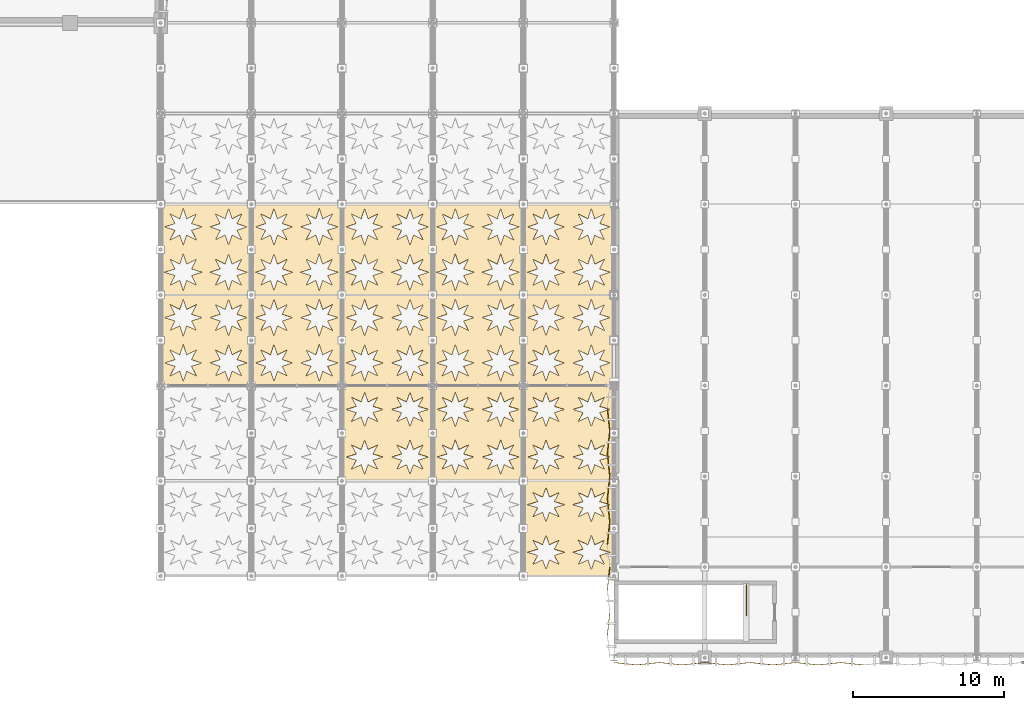
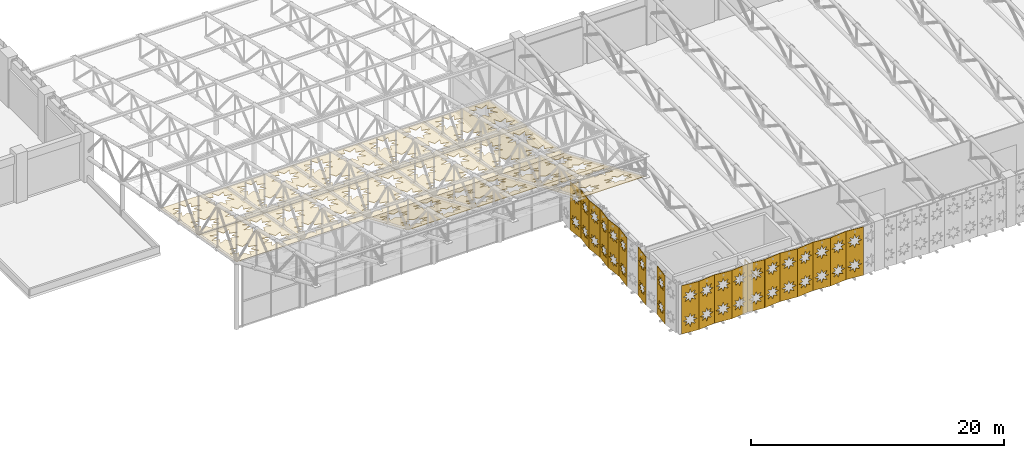
# One storey, part 116 of 123: 33 coverings, 1 railing.
"""IFC4 building model written with IfcOpenShell, lengths in metres."""

from ifc_helpers import new_model, si_unit, direction, frame, origin, origin_2d, place, context, subcontext, project, spatial, polyline, circle, outline, extrude, material, layer, layer_set, type_object, element, save


model = new_model("IFC4")

# Units and contexts
model_context = context("Model", 3, precision=1e-05, world=origin(), true_north=direction((0.0, 1.0)))
body_context = subcontext(model_context, "Body", "Model", "MODEL_VIEW")
ifc_project = project(units=[si_unit("LENGTHUNIT", "METRE"), si_unit("AREAUNIT", "SQUARE_METRE"), si_unit("VOLUMEUNIT", "CUBIC_METRE"), si_unit("PLANEANGLEUNIT", "RADIAN"), si_unit("MASSUNIT", "GRAM", prefix="KILO"), si_unit("THERMODYNAMICTEMPERATUREUNIT", "KELVIN"), si_unit("POWERUNIT", "WATT")], contexts=[model_context])

# Site, building, storey
site_placement = place(None, origin())
site = spatial("IfcSite", under=ifc_project, at=site_placement, CompositionType="ELEMENT")
building_placement = place(site_placement, origin())
building = spatial("IfcBuilding", under=site, at=building_placement, Name="Phaisarnlok Congress Hotel", CompositionType="ELEMENT")
storey_placement = place(building_placement, frame((0.0, 0.0, 15.0)))
storey = spatial("IfcBuildingStorey", under=building, at=storey_placement, Name="L03", CompositionType="ELEMENT", Elevation=15.0)

# Coverings
ifc_material_1 = material(Name="Perforated Acoustic Aluminium Soffit Panel", Category="aluminium")
ifc_layer_1 = layer(ifc_material_1, 0.044921875, Name="Perforated Acoustic Aluminium Soffit Panel")
ifc_layer_set_1 = layer_set([ifc_layer_1], Name="Perforated Acoustic Aluminium Soffit Panel")
covering_type_1 = type_object("IfcCoveringType", Name="COV-SOFFIT-STAR", PredefinedType="CLADDING", material=ifc_layer_set_1)
covering_1_placement = place(storey_placement, frame((66.0, 30.0, 4.28662109375), z_axis=(0.0, -0.175030745743, -0.984562968044), x_axis=(1.0, 0.0, 0.0)))
element("IfcCovering", 1, at=covering_1_placement, inside=storey, type_object=covering_type_1, Name="South wing roof star-pierced acoustic soffit panel CL-01", PredefinedType="CLADDING", context=body_context, shape_type="SweptSolid", body=[
    extrude(outline(polyline([(0.0, 0.0), (6.0, 0.0), (6.0, 6.094074421585321), (0.0, 6.094074421585321), (0.0, 0.0)]), holes=[polyline([(2.0455, 1.2976), (2.3697, 0.6538), (1.7259, 0.9781), (1.5, 0.2935), (1.2741, 0.9781), (0.6303, 0.6538), (0.9545, 1.2976), (0.27, 1.5235), (0.9545, 1.7495), (0.6303, 2.3933), (1.2741, 2.069), (1.5, 2.7535), (1.7259, 2.069), (2.3697, 2.3933), (2.0455, 1.7495), (2.73, 1.5235), (2.0455, 1.2976)]), polyline([(2.0455, 4.3446), (2.3697, 3.7008), (1.7259, 4.0251), (1.5, 3.3405), (1.2741, 4.0251), (0.6303, 3.7008), (0.9545, 4.3446), (0.27, 4.5705), (0.9545, 4.7965), (0.6303, 5.4403), (1.2741, 5.116), (1.5, 5.8005), (1.7259, 5.116), (2.3697, 5.4403), (2.0455, 4.7965), (2.73, 4.5705), (2.0455, 4.3446)]), polyline([(5.0455, 1.2976), (5.3697, 0.6538), (4.7259, 0.9781), (4.5, 0.2935), (4.2741, 0.9781), (3.6303, 0.6538), (3.9545, 1.2976), (3.27, 1.5235), (3.9545, 1.7495), (3.6303, 2.3933), (4.2741, 2.069), (4.5, 2.7535), (4.7259, 2.069), (5.3697, 2.3933), (5.0455, 1.7495), (5.73, 1.5235), (5.0455, 1.2976)]), polyline([(5.0455, 4.3446), (5.3697, 3.7008), (4.7259, 4.0251), (4.5, 3.3405), (4.2741, 4.0251), (3.6303, 3.7008), (3.9545, 4.3446), (3.27, 4.5705), (3.9545, 4.7965), (3.6303, 5.4403), (4.2741, 5.116), (4.5, 5.8005), (4.7259, 5.116), (5.3697, 5.4403), (5.0455, 4.7965), (5.73, 4.5705), (5.0455, 4.3446)])]), origin(), (0.0, 0.0, 1.0), 0.044921875),
])
covering_2_placement = place(storey_placement, frame((66.0, 24.0, 5.353271484375), z_axis=(0.0, -0.175030745743, -0.984562968044), x_axis=(1.0, 0.0, 0.0)))
element("IfcCovering", 2, at=covering_2_placement, inside=storey, type_object=covering_type_1, Name="South wing roof star-pierced acoustic soffit panel CL-01", PredefinedType="CLADDING", context=body_context, shape_type="SweptSolid", body=[
    extrude(outline(polyline([(0.0, 0.0), (6.0, 0.0), (6.0, 6.094074421585321), (0.0, 6.094074421585321), (0.0, 0.0)]), holes=[polyline([(2.0455, 1.2976), (2.3697, 0.6538), (1.7259, 0.9781), (1.5, 0.2935), (1.2741, 0.9781), (0.6303, 0.6538), (0.9545, 1.2976), (0.27, 1.5235), (0.9545, 1.7495), (0.6303, 2.3933), (1.2741, 2.069), (1.5, 2.7535), (1.7259, 2.069), (2.3697, 2.3933), (2.0455, 1.7495), (2.73, 1.5235), (2.0455, 1.2976)]), polyline([(2.0455, 4.3446), (2.3697, 3.7008), (1.7259, 4.0251), (1.5, 3.3406), (1.2741, 4.0251), (0.6303, 3.7008), (0.9545, 4.3446), (0.27, 4.5706), (0.9545, 4.7965), (0.6303, 5.4403), (1.2741, 5.116), (1.5, 5.8006), (1.7259, 5.116), (2.3697, 5.4403), (2.0455, 4.7965), (2.73, 4.5706), (2.0455, 4.3446)]), polyline([(5.0455, 1.2976), (5.3697, 0.6538), (4.7259, 0.9781), (4.5, 0.2935), (4.2741, 0.9781), (3.6303, 0.6538), (3.9545, 1.2976), (3.27, 1.5235), (3.9545, 1.7495), (3.6303, 2.3933), (4.2741, 2.069), (4.5, 2.7535), (4.7259, 2.069), (5.3697, 2.3933), (5.0455, 1.7495), (5.73, 1.5235), (5.0455, 1.2976)]), polyline([(5.0455, 4.3446), (5.3697, 3.7008), (4.7259, 4.0251), (4.5, 3.3406), (4.2741, 4.0251), (3.6303, 3.7008), (3.9545, 4.3446), (3.27, 4.5706), (3.9545, 4.7965), (3.6303, 5.4403), (4.2741, 5.116), (4.5, 5.8006), (4.7259, 5.116), (5.3697, 5.4403), (5.0455, 4.7965), (5.73, 4.5706), (5.0455, 4.3446)])]), origin(), (0.0, 0.0, 1.0), 0.044921875),
])
covering_3_placement = place(storey_placement, frame((72.0, 30.0, 4.28662109375), z_axis=(0.0, -0.175030745743, -0.984562968044), x_axis=(1.0, 0.0, 0.0)))
element("IfcCovering", 3, at=covering_3_placement, inside=storey, type_object=covering_type_1, Name="South wing roof star-pierced acoustic soffit panel CL-01", PredefinedType="CLADDING", context=body_context, shape_type="SweptSolid", body=[
    extrude(outline(polyline([(0.0, 0.0), (6.0, 0.0), (6.0, 6.094074421585321), (0.0, 6.094074421585321), (0.0, 0.0)]), holes=[polyline([(2.0455, 1.2976), (2.3697, 0.6538), (1.7259, 0.9781), (1.5, 0.2935), (1.2741, 0.9781), (0.6303, 0.6538), (0.9545, 1.2976), (0.27, 1.5235), (0.9545, 1.7495), (0.6303, 2.3933), (1.2741, 2.069), (1.5, 2.7535), (1.7259, 2.069), (2.3697, 2.3933), (2.0455, 1.7495), (2.73, 1.5235), (2.0455, 1.2976)]), polyline([(2.0455, 4.3446), (2.3697, 3.7008), (1.7259, 4.0251), (1.5, 3.3405), (1.2741, 4.0251), (0.6303, 3.7008), (0.9545, 4.3446), (0.27, 4.5705), (0.9545, 4.7965), (0.6303, 5.4403), (1.2741, 5.116), (1.5, 5.8005), (1.7259, 5.116), (2.3697, 5.4403), (2.0455, 4.7965), (2.73, 4.5705), (2.0455, 4.3446)]), polyline([(5.0455, 1.2976), (5.3697, 0.6538), (4.7259, 0.9781), (4.5, 0.2935), (4.2741, 0.9781), (3.6303, 0.6538), (3.9545, 1.2976), (3.27, 1.5235), (3.9545, 1.7495), (3.6303, 2.3933), (4.2741, 2.069), (4.5, 2.7535), (4.7259, 2.069), (5.3697, 2.3933), (5.0455, 1.7495), (5.73, 1.5235), (5.0455, 1.2976)]), polyline([(5.0455, 4.3446), (5.3697, 3.7008), (4.7259, 4.0251), (4.5, 3.3405), (4.2741, 4.0251), (3.6303, 3.7008), (3.9545, 4.3446), (3.27, 4.5705), (3.9545, 4.7965), (3.6303, 5.4403), (4.2741, 5.116), (4.5, 5.8005), (4.7259, 5.116), (5.3697, 5.4403), (5.0455, 4.7965), (5.73, 4.5705), (5.0455, 4.3446)])]), origin(), (0.0, 0.0, 1.0), 0.044921875),
])
covering_4_placement = place(storey_placement, frame((72.0, 24.0, 5.353271484375), z_axis=(0.0, -0.175030745743, -0.984562968044), x_axis=(1.0, 0.0, 0.0)))
element("IfcCovering", 4, at=covering_4_placement, inside=storey, type_object=covering_type_1, Name="South wing roof star-pierced acoustic soffit panel CL-01", PredefinedType="CLADDING", context=body_context, shape_type="SweptSolid", body=[
    extrude(outline(polyline([(0.0, 0.0), (6.0, 0.0), (6.0, 6.094074421585321), (0.0, 6.094074421585321), (0.0, 0.0)]), holes=[polyline([(2.0455, 1.2976), (2.3697, 0.6538), (1.7259, 0.9781), (1.5, 0.2935), (1.2741, 0.9781), (0.6303, 0.6538), (0.9545, 1.2976), (0.27, 1.5235), (0.9545, 1.7495), (0.6303, 2.3933), (1.2741, 2.069), (1.5, 2.7535), (1.7259, 2.069), (2.3697, 2.3933), (2.0455, 1.7495), (2.73, 1.5235), (2.0455, 1.2976)]), polyline([(2.0455, 4.3446), (2.3697, 3.7008), (1.7259, 4.0251), (1.5, 3.3406), (1.2741, 4.0251), (0.6303, 3.7008), (0.9545, 4.3446), (0.27, 4.5706), (0.9545, 4.7965), (0.6303, 5.4403), (1.2741, 5.116), (1.5, 5.8006), (1.7259, 5.116), (2.3697, 5.4403), (2.0455, 4.7965), (2.73, 4.5706), (2.0455, 4.3446)]), polyline([(5.0455, 1.2976), (5.3697, 0.6538), (4.7259, 0.9781), (4.5, 0.2935), (4.2741, 0.9781), (3.6303, 0.6538), (3.9545, 1.2976), (3.27, 1.5235), (3.9545, 1.7495), (3.6303, 2.3933), (4.2741, 2.069), (4.5, 2.7535), (4.7259, 2.069), (5.3697, 2.3933), (5.0455, 1.7495), (5.73, 1.5235), (5.0455, 1.2976)]), polyline([(5.0455, 4.3446), (5.3697, 3.7008), (4.7259, 4.0251), (4.5, 3.3406), (4.2741, 4.0251), (3.6303, 3.7008), (3.9545, 4.3446), (3.27, 4.5706), (3.9545, 4.7965), (3.6303, 5.4403), (4.2741, 5.116), (4.5, 5.8006), (4.7259, 5.116), (5.3697, 5.4403), (5.0455, 4.7965), (5.73, 4.5706), (5.0455, 4.3446)])]), origin(), (0.0, 0.0, 1.0), 0.044921875),
])
covering_5_placement = place(storey_placement, frame((78.0, 30.0, 4.28662109375), z_axis=(0.0, -0.175030745743, -0.984562968044), x_axis=(1.0, 0.0, 0.0)))
element("IfcCovering", 5, at=covering_5_placement, inside=storey, type_object=covering_type_1, Name="South wing roof star-pierced acoustic soffit panel CL-01", PredefinedType="CLADDING", context=body_context, shape_type="SweptSolid", body=[
    extrude(outline(polyline([(0.0, 0.0), (6.0, 0.0), (6.0, 6.094074421585321), (0.0, 6.094074421585321), (0.0, 0.0)]), holes=[polyline([(2.0455, 1.2976), (2.3697, 0.6538), (1.7259, 0.9781), (1.5, 0.2935), (1.2741, 0.9781), (0.6303, 0.6538), (0.9545, 1.2976), (0.27, 1.5235), (0.9545, 1.7495), (0.6303, 2.3933), (1.2741, 2.069), (1.5, 2.7535), (1.7259, 2.069), (2.3697, 2.3933), (2.0455, 1.7495), (2.73, 1.5235), (2.0455, 1.2976)]), polyline([(2.0455, 4.3446), (2.3697, 3.7008), (1.7259, 4.0251), (1.5, 3.3405), (1.2741, 4.0251), (0.6303, 3.7008), (0.9545, 4.3446), (0.27, 4.5705), (0.9545, 4.7965), (0.6303, 5.4403), (1.2741, 5.116), (1.5, 5.8005), (1.7259, 5.116), (2.3697, 5.4403), (2.0455, 4.7965), (2.73, 4.5705), (2.0455, 4.3446)]), polyline([(5.0455, 1.2976), (5.3697, 0.6538), (4.7259, 0.9781), (4.5, 0.2935), (4.2741, 0.9781), (3.6303, 0.6538), (3.9545, 1.2976), (3.27, 1.5235), (3.9545, 1.7495), (3.6303, 2.3933), (4.2741, 2.069), (4.5, 2.7535), (4.7259, 2.069), (5.3697, 2.3933), (5.0455, 1.7495), (5.73, 1.5235), (5.0455, 1.2976)]), polyline([(5.0455, 4.3446), (5.3697, 3.7008), (4.7259, 4.0251), (4.5, 3.3405), (4.2741, 4.0251), (3.6303, 3.7008), (3.9545, 4.3446), (3.27, 4.5705), (3.9545, 4.7965), (3.6303, 5.4403), (4.2741, 5.116), (4.5, 5.8005), (4.7259, 5.116), (5.3697, 5.4403), (5.0455, 4.7965), (5.73, 4.5705), (5.0455, 4.3446)])]), origin(), (0.0, 0.0, 1.0), 0.044921875),
])
covering_6_placement = place(storey_placement, frame((78.0, 24.0, 5.353271484375), z_axis=(0.0, -0.175030745743, -0.984562968044), x_axis=(1.0, 0.0, 0.0)))
element("IfcCovering", 6, at=covering_6_placement, inside=storey, type_object=covering_type_1, Name="South wing roof star-pierced acoustic soffit panel CL-01", PredefinedType="CLADDING", context=body_context, shape_type="SweptSolid", body=[
    extrude(outline(polyline([(0.0, 0.0), (6.0, 0.0), (6.0, 6.094074421585321), (0.0, 6.094074421585321), (0.0, 0.0)]), holes=[polyline([(2.0455, 1.2976), (2.3697, 0.6538), (1.7259, 0.9781), (1.5, 0.2935), (1.2741, 0.9781), (0.6303, 0.6538), (0.9545, 1.2976), (0.27, 1.5235), (0.9545, 1.7495), (0.6303, 2.3933), (1.2741, 2.069), (1.5, 2.7535), (1.7259, 2.069), (2.3697, 2.3933), (2.0455, 1.7495), (2.73, 1.5235), (2.0455, 1.2976)]), polyline([(2.0455, 4.3446), (2.3697, 3.7008), (1.7259, 4.0251), (1.5, 3.3406), (1.2741, 4.0251), (0.6303, 3.7008), (0.9545, 4.3446), (0.27, 4.5706), (0.9545, 4.7965), (0.6303, 5.4403), (1.2741, 5.116), (1.5, 5.8006), (1.7259, 5.116), (2.3697, 5.4403), (2.0455, 4.7965), (2.73, 4.5706), (2.0455, 4.3446)]), polyline([(5.0455, 1.2976), (5.3697, 0.6538), (4.7259, 0.9781), (4.5, 0.2935), (4.2741, 0.9781), (3.6303, 0.6538), (3.9545, 1.2976), (3.27, 1.5235), (3.9545, 1.7495), (3.6303, 2.3933), (4.2741, 2.069), (4.5, 2.7535), (4.7259, 2.069), (5.3697, 2.3933), (5.0455, 1.7495), (5.73, 1.5235), (5.0455, 1.2976)]), polyline([(5.0455, 4.3446), (5.3697, 3.7008), (4.7259, 4.0251), (4.5, 3.3406), (4.2741, 4.0251), (3.6303, 3.7008), (3.9545, 4.3446), (3.27, 4.5706), (3.9545, 4.7965), (3.6303, 5.4403), (4.2741, 5.116), (4.5, 5.8006), (4.7259, 5.116), (5.3697, 5.4403), (5.0455, 4.7965), (5.73, 4.5706), (5.0455, 4.3446)])]), origin(), (0.0, 0.0, 1.0), 0.044921875),
])
covering_7_placement = place(storey_placement, frame((78.0, 18.0, 6.419921875), z_axis=(0.0, -0.393940792404, -0.919135818081), x_axis=(1.0, 0.0, 0.0)))
element("IfcCovering", 7, at=covering_7_placement, inside=storey, type_object=covering_type_1, Name="South wing roof star-pierced acoustic soffit panel CL-01", PredefinedType="CLADDING", context=body_context, shape_type="SweptSolid", body=[
    extrude(outline(polyline([(0.0, 0.0), (6.0, 0.0), (6.0, 6.854317614643062), (0.0, 6.854317614643062), (0.0, 0.0)]), holes=[polyline([(2.0455, 1.4876), (2.3697, 0.8438), (1.7259, 1.1681), (1.5, 0.4835), (1.2741, 1.1681), (0.6303, 0.8438), (0.9545, 1.4876), (0.27, 1.7135), (0.9545, 1.9395), (0.6303, 2.5833), (1.2741, 2.259), (1.5, 2.9435), (1.7259, 2.259), (2.3697, 2.5833), (2.0455, 1.9395), (2.73, 1.7135), (2.0455, 1.4876)]), polyline([(2.0455, 4.9147), (2.3697, 4.2709), (1.7259, 4.5952), (1.5, 3.9106), (1.2741, 4.5952), (0.6303, 4.2709), (0.9545, 4.9147), (0.27, 5.1406), (0.9545, 5.3666), (0.6303, 6.0104), (1.2741, 5.6861), (1.5, 6.3706), (1.7259, 5.6861), (2.3697, 6.0104), (2.0455, 5.3666), (2.73, 5.1406), (2.0455, 4.9147)]), polyline([(5.0455, 1.4876), (5.3697, 0.8438), (4.7259, 1.1681), (4.5, 0.4835), (4.2741, 1.1681), (3.6303, 0.8438), (3.9545, 1.4876), (3.27, 1.7135), (3.9545, 1.9395), (3.6303, 2.5833), (4.2741, 2.259), (4.5, 2.9435), (4.7259, 2.259), (5.3697, 2.5833), (5.0455, 1.9395), (5.73, 1.7135), (5.0455, 1.4876)]), polyline([(5.0455, 4.9147), (5.3697, 4.2709), (4.7259, 4.5952), (4.5, 3.9106), (4.2741, 4.5952), (3.6303, 4.2709), (3.9545, 4.9147), (3.27, 5.1406), (3.9545, 5.3666), (3.6303, 6.0104), (4.2741, 5.6861), (4.5, 6.3706), (4.7259, 5.6861), (5.3697, 6.0104), (5.0455, 5.3666), (5.73, 5.1406), (5.0455, 4.9147)])]), origin(), (0.0, 0.0, 1.0), 0.044921875),
])
covering_8_placement = place(storey_placement, frame((84.0, 30.0, 4.28662109375), z_axis=(0.0, -0.175030745743, -0.984562968044), x_axis=(1.0, 0.0, 0.0)))
element("IfcCovering", 8, at=covering_8_placement, inside=storey, type_object=covering_type_1, Name="South wing roof star-pierced acoustic soffit panel CL-01", PredefinedType="CLADDING", context=body_context, shape_type="SweptSolid", body=[
    extrude(outline(polyline([(0.0, 0.0), (6.0, 0.0), (6.0, 6.094074421585321), (0.0, 6.094074421585321), (0.0, 0.0)]), holes=[polyline([(2.0455, 1.2976), (2.3697, 0.6538), (1.7259, 0.9781), (1.5, 0.2935), (1.2741, 0.9781), (0.6303, 0.6538), (0.9545, 1.2976), (0.27, 1.5235), (0.9545, 1.7495), (0.6303, 2.3933), (1.2741, 2.069), (1.5, 2.7535), (1.7259, 2.069), (2.3697, 2.3933), (2.0455, 1.7495), (2.73, 1.5235), (2.0455, 1.2976)]), polyline([(2.0455, 4.3446), (2.3697, 3.7008), (1.7259, 4.0251), (1.5, 3.3405), (1.2741, 4.0251), (0.6303, 3.7008), (0.9545, 4.3446), (0.27, 4.5705), (0.9545, 4.7965), (0.6303, 5.4403), (1.2741, 5.116), (1.5, 5.8005), (1.7259, 5.116), (2.3697, 5.4403), (2.0455, 4.7965), (2.73, 4.5705), (2.0455, 4.3446)]), polyline([(5.0455, 1.2976), (5.3697, 0.6538), (4.7259, 0.9781), (4.5, 0.2935), (4.2741, 0.9781), (3.6303, 0.6538), (3.9545, 1.2976), (3.27, 1.5235), (3.9545, 1.7495), (3.6303, 2.3933), (4.2741, 2.069), (4.5, 2.7535), (4.7259, 2.069), (5.3697, 2.3933), (5.0455, 1.7495), (5.73, 1.5235), (5.0455, 1.2976)]), polyline([(5.0455, 4.3446), (5.3697, 3.7008), (4.7259, 4.0251), (4.5, 3.3405), (4.2741, 4.0251), (3.6303, 3.7008), (3.9545, 4.3446), (3.27, 4.5705), (3.9545, 4.7965), (3.6303, 5.4403), (4.2741, 5.116), (4.5, 5.8005), (4.7259, 5.116), (5.3697, 5.4403), (5.0455, 4.7965), (5.73, 4.5705), (5.0455, 4.3446)])]), origin(), (0.0, 0.0, 1.0), 0.044921875),
])
covering_9_placement = place(storey_placement, frame((84.0, 24.0, 5.353271484375), z_axis=(0.0, -0.175030745743, -0.984562968044), x_axis=(1.0, 0.0, 0.0)))
element("IfcCovering", 9, at=covering_9_placement, inside=storey, type_object=covering_type_1, Name="South wing roof star-pierced acoustic soffit panel CL-01", PredefinedType="CLADDING", context=body_context, shape_type="SweptSolid", body=[
    extrude(outline(polyline([(0.0, 0.0), (6.0, 0.0), (6.0, 6.094074421585321), (0.0, 6.094074421585321), (0.0, 0.0)]), holes=[polyline([(2.0455, 1.2976), (2.3697, 0.6538), (1.7259, 0.9781), (1.5, 0.2935), (1.2741, 0.9781), (0.6303, 0.6538), (0.9545, 1.2976), (0.27, 1.5235), (0.9545, 1.7495), (0.6303, 2.3933), (1.2741, 2.069), (1.5, 2.7535), (1.7259, 2.069), (2.3697, 2.3933), (2.0455, 1.7495), (2.73, 1.5235), (2.0455, 1.2976)]), polyline([(2.0455, 4.3446), (2.3697, 3.7008), (1.7259, 4.0251), (1.5, 3.3406), (1.2741, 4.0251), (0.6303, 3.7008), (0.9545, 4.3446), (0.27, 4.5706), (0.9545, 4.7965), (0.6303, 5.4403), (1.2741, 5.116), (1.5, 5.8006), (1.7259, 5.116), (2.3697, 5.4403), (2.0455, 4.7965), (2.73, 4.5706), (2.0455, 4.3446)]), polyline([(5.0455, 1.2976), (5.3697, 0.6538), (4.7259, 0.9781), (4.5, 0.2935), (4.2741, 0.9781), (3.6303, 0.6538), (3.9545, 1.2976), (3.27, 1.5235), (3.9545, 1.7495), (3.6303, 2.3933), (4.2741, 2.069), (4.5, 2.7535), (4.7259, 2.069), (5.3697, 2.3933), (5.0455, 1.7495), (5.73, 1.5235), (5.0455, 1.2976)]), polyline([(5.0455, 4.3446), (5.3697, 3.7008), (4.7259, 4.0251), (4.5, 3.3406), (4.2741, 4.0251), (3.6303, 3.7008), (3.9545, 4.3446), (3.27, 4.5706), (3.9545, 4.7965), (3.6303, 5.4403), (4.2741, 5.116), (4.5, 5.8006), (4.7259, 5.116), (5.3697, 5.4403), (5.0455, 4.7965), (5.73, 4.5706), (5.0455, 4.3446)])]), origin(), (0.0, 0.0, 1.0), 0.044921875),
])
covering_10_placement = place(storey_placement, frame((84.0, 18.0, 6.419921875), z_axis=(0.0, -0.393940792404, -0.919135818081), x_axis=(1.0, 0.0, 0.0)))
element("IfcCovering", 10, at=covering_10_placement, inside=storey, type_object=covering_type_1, Name="South wing roof star-pierced acoustic soffit panel CL-01", PredefinedType="CLADDING", context=body_context, shape_type="SweptSolid", body=[
    extrude(outline(polyline([(0.0, 0.0), (6.0, 0.0), (6.0, 6.854317614643062), (0.0, 6.854317614643062), (0.0, 0.0)]), holes=[polyline([(2.0455, 1.4876), (2.3697, 0.8438), (1.7259, 1.1681), (1.5, 0.4835), (1.2741, 1.1681), (0.6303, 0.8438), (0.9545, 1.4876), (0.27, 1.7135), (0.9545, 1.9395), (0.6303, 2.5833), (1.2741, 2.259), (1.5, 2.9435), (1.7259, 2.259), (2.3697, 2.5833), (2.0455, 1.9395), (2.73, 1.7135), (2.0455, 1.4876)]), polyline([(2.0455, 4.9147), (2.3697, 4.2709), (1.7259, 4.5952), (1.5, 3.9106), (1.2741, 4.5952), (0.6303, 4.2709), (0.9545, 4.9147), (0.27, 5.1406), (0.9545, 5.3666), (0.6303, 6.0104), (1.2741, 5.6861), (1.5, 6.3706), (1.7259, 5.6861), (2.3697, 6.0104), (2.0455, 5.3666), (2.73, 5.1406), (2.0455, 4.9147)]), polyline([(5.0455, 1.4876), (5.3697, 0.8438), (4.7259, 1.1681), (4.5, 0.4835), (4.2741, 1.1681), (3.6303, 0.8438), (3.9545, 1.4876), (3.27, 1.7135), (3.9545, 1.9395), (3.6303, 2.5833), (4.2741, 2.259), (4.5, 2.9435), (4.7259, 2.259), (5.3697, 2.5833), (5.0455, 1.9395), (5.73, 1.7135), (5.0455, 1.4876)]), polyline([(5.0455, 4.9147), (5.3697, 4.2709), (4.7259, 4.5952), (4.5, 3.9106), (4.2741, 4.5952), (3.6303, 4.2709), (3.9545, 4.9147), (3.27, 5.1406), (3.9545, 5.3666), (3.6303, 6.0104), (4.2741, 5.6861), (4.5, 6.3706), (4.7259, 5.6861), (5.3697, 6.0104), (5.0455, 5.3666), (5.73, 5.1406), (5.0455, 4.9147)])]), origin(), (0.0, 0.0, 1.0), 0.044921875),
])
covering_11_placement = place(storey_placement, frame((90.0, 30.0, 4.28662109375), z_axis=(0.0, -0.175030745743, -0.984562968044), x_axis=(1.0, 0.0, 0.0)))
element("IfcCovering", 11, at=covering_11_placement, inside=storey, type_object=covering_type_1, Name="South wing roof star-pierced acoustic soffit panel CL-01", PredefinedType="CLADDING", context=body_context, shape_type="SweptSolid", body=[
    extrude(outline(polyline([(0.0, 0.0), (6.0, 0.0), (6.0, 6.094074421585321), (0.0, 6.094074421585321), (0.0, 0.0)]), holes=[polyline([(2.0455, 1.2976), (2.3697, 0.6538), (1.7259, 0.9781), (1.5, 0.2935), (1.2741, 0.9781), (0.6303, 0.6538), (0.9545, 1.2976), (0.27, 1.5235), (0.9545, 1.7495), (0.6303, 2.3933), (1.2741, 2.069), (1.5, 2.7535), (1.7259, 2.069), (2.3697, 2.3933), (2.0455, 1.7495), (2.73, 1.5235), (2.0455, 1.2976)]), polyline([(2.0455, 4.3446), (2.3697, 3.7008), (1.7259, 4.0251), (1.5, 3.3405), (1.2741, 4.0251), (0.6303, 3.7008), (0.9545, 4.3446), (0.27, 4.5705), (0.9545, 4.7965), (0.6303, 5.4403), (1.2741, 5.116), (1.5, 5.8005), (1.7259, 5.116), (2.3697, 5.4403), (2.0455, 4.7965), (2.73, 4.5705), (2.0455, 4.3446)]), polyline([(5.0455, 1.2976), (5.3697, 0.6538), (4.7259, 0.9781), (4.5, 0.2935), (4.2741, 0.9781), (3.6303, 0.6538), (3.9545, 1.2976), (3.27, 1.5235), (3.9545, 1.7495), (3.6303, 2.3933), (4.2741, 2.069), (4.5, 2.7535), (4.7259, 2.069), (5.3697, 2.3933), (5.0455, 1.7495), (5.73, 1.5235), (5.0455, 1.2976)]), polyline([(5.0455, 4.3446), (5.3697, 3.7008), (4.7259, 4.0251), (4.5, 3.3405), (4.2741, 4.0251), (3.6303, 3.7008), (3.9545, 4.3446), (3.27, 4.5705), (3.9545, 4.7965), (3.6303, 5.4403), (4.2741, 5.116), (4.5, 5.8005), (4.7259, 5.116), (5.3697, 5.4403), (5.0455, 4.7965), (5.73, 4.5705), (5.0455, 4.3446)])]), origin(), (0.0, 0.0, 1.0), 0.044921875),
])
covering_12_placement = place(storey_placement, frame((90.0, 24.0, 5.353271484375), z_axis=(0.0, -0.175030745743, -0.984562968044), x_axis=(1.0, 0.0, 0.0)))
element("IfcCovering", 12, at=covering_12_placement, inside=storey, type_object=covering_type_1, Name="South wing roof star-pierced acoustic soffit panel CL-01", PredefinedType="CLADDING", context=body_context, shape_type="SweptSolid", body=[
    extrude(outline(polyline([(0.0, 0.0), (6.0, 0.0), (6.0, 6.094074421585321), (0.0, 6.094074421585321), (0.0, 0.0)]), holes=[polyline([(2.0455, 1.2976), (2.3697, 0.6538), (1.7259, 0.9781), (1.5, 0.2935), (1.2741, 0.9781), (0.6303, 0.6538), (0.9545, 1.2976), (0.27, 1.5235), (0.9545, 1.7495), (0.6303, 2.3933), (1.2741, 2.069), (1.5, 2.7535), (1.7259, 2.069), (2.3697, 2.3933), (2.0455, 1.7495), (2.73, 1.5235), (2.0455, 1.2976)]), polyline([(2.0455, 4.3446), (2.3697, 3.7008), (1.7259, 4.0251), (1.5, 3.3406), (1.2741, 4.0251), (0.6303, 3.7008), (0.9545, 4.3446), (0.27, 4.5706), (0.9545, 4.7965), (0.6303, 5.4403), (1.2741, 5.116), (1.5, 5.8006), (1.7259, 5.116), (2.3697, 5.4403), (2.0455, 4.7965), (2.73, 4.5706), (2.0455, 4.3446)]), polyline([(5.0455, 1.2976), (5.3697, 0.6538), (4.7259, 0.9781), (4.5, 0.2935), (4.2741, 0.9781), (3.6303, 0.6538), (3.9545, 1.2976), (3.27, 1.5235), (3.9545, 1.7495), (3.6303, 2.3933), (4.2741, 2.069), (4.5, 2.7535), (4.7259, 2.069), (5.3697, 2.3933), (5.0455, 1.7495), (5.73, 1.5235), (5.0455, 1.2976)]), polyline([(5.0455, 4.3446), (5.3697, 3.7008), (4.7259, 4.0251), (4.5, 3.3406), (4.2741, 4.0251), (3.6303, 3.7008), (3.9545, 4.3446), (3.27, 4.5706), (3.9545, 4.7965), (3.6303, 5.4403), (4.2741, 5.116), (4.5, 5.8006), (4.7259, 5.116), (5.3697, 5.4403), (5.0455, 4.7965), (5.73, 4.5706), (5.0455, 4.3446)])]), origin(), (0.0, 0.0, 1.0), 0.044921875),
])
covering_13_placement = place(storey_placement, frame((90.0, 18.0, 6.419921875), z_axis=(0.0, -0.393940792404, -0.919135818081), x_axis=(1.0, 0.0, 0.0)))
element("IfcCovering", 13, at=covering_13_placement, inside=storey, type_object=covering_type_1, Name="South wing roof star-pierced acoustic soffit panel CL-01", PredefinedType="CLADDING", context=body_context, shape_type="SweptSolid", body=[
    extrude(outline(polyline([(0.0, 0.0), (6.0, 0.0), (6.0, 6.854317614643062), (0.0, 6.854317614643062), (0.0, 0.0)]), holes=[polyline([(2.0455, 1.4876), (2.3697, 0.8438), (1.7259, 1.1681), (1.5, 0.4835), (1.2741, 1.1681), (0.6303, 0.8438), (0.9545, 1.4876), (0.27, 1.7135), (0.9545, 1.9395), (0.6303, 2.5833), (1.2741, 2.259), (1.5, 2.9435), (1.7259, 2.259), (2.3697, 2.5833), (2.0455, 1.9395), (2.73, 1.7135), (2.0455, 1.4876)]), polyline([(2.0455, 4.9147), (2.3697, 4.2709), (1.7259, 4.5952), (1.5, 3.9106), (1.2741, 4.5952), (0.6303, 4.2709), (0.9545, 4.9147), (0.27, 5.1406), (0.9545, 5.3666), (0.6303, 6.0104), (1.2741, 5.6861), (1.5, 6.3706), (1.7259, 5.6861), (2.3697, 6.0104), (2.0455, 5.3666), (2.73, 5.1406), (2.0455, 4.9147)]), polyline([(5.0455, 1.4876), (5.3697, 0.8438), (4.7259, 1.1681), (4.5, 0.4835), (4.2741, 1.1681), (3.6303, 0.8438), (3.9545, 1.4876), (3.27, 1.7135), (3.9545, 1.9395), (3.6303, 2.5833), (4.2741, 2.259), (4.5, 2.9435), (4.7259, 2.259), (5.3697, 2.5833), (5.0455, 1.9395), (5.73, 1.7135), (5.0455, 1.4876)]), polyline([(5.0455, 4.9147), (5.3697, 4.2709), (4.7259, 4.5952), (4.5, 3.9106), (4.2741, 4.5952), (3.6303, 4.2709), (3.9545, 4.9147), (3.27, 5.1406), (3.9545, 5.3666), (3.6303, 6.0104), (4.2741, 5.6861), (4.5, 6.3706), (4.7259, 5.6861), (5.3697, 6.0104), (5.0455, 5.3666), (5.73, 5.1406), (5.0455, 4.9147)])]), origin(), (0.0, 0.0, 1.0), 0.044921875),
])
covering_14_placement = place(storey_placement, frame((90.0, 11.699951171875, 9.1201171875), z_axis=(0.0, -0.393910700868, -0.919148714704), x_axis=(1.0, 0.0, 0.0)))
element("IfcCovering", 14, at=covering_14_placement, inside=storey, type_object=covering_type_1, Name="South wing roof star-pierced acoustic soffit panel CL-01", PredefinedType="CLADDING", context=body_context, shape_type="SweptSolid", body=[
    extrude(outline(polyline([(0.0, 0.0), (6.0, 0.0), (6.0, 6.854221441365048), (0.0, 6.854221441365048), (0.0, 0.0)]), holes=[polyline([(2.0455, 1.4876), (2.3697, 0.8438), (1.7259, 1.1681), (1.5, 0.4835), (1.2741, 1.1681), (0.6303, 0.8438), (0.9545, 1.4876), (0.27, 1.7135), (0.9545, 1.9395), (0.6303, 2.5833), (1.2741, 2.259), (1.5, 2.9435), (1.7259, 2.259), (2.3697, 2.5833), (2.0455, 1.9395), (2.73, 1.7135), (2.0455, 1.4876)]), polyline([(2.0455, 4.9147), (2.3697, 4.2709), (1.7259, 4.5952), (1.5, 3.9106), (1.2741, 4.5952), (0.6303, 4.2709), (0.9545, 4.9147), (0.27, 5.1406), (0.9545, 5.3666), (0.6303, 6.0104), (1.2741, 5.6861), (1.5, 6.3706), (1.7259, 5.6861), (2.3697, 6.0104), (2.0455, 5.3666), (2.73, 5.1406), (2.0455, 4.9147)]), polyline([(5.0455, 1.4876), (5.3697, 0.8438), (4.7259, 1.1681), (4.5, 0.4835), (4.2741, 1.1681), (3.6303, 0.8438), (3.9545, 1.4876), (3.27, 1.7135), (3.9545, 1.9395), (3.6303, 2.5833), (4.2741, 2.259), (4.5, 2.9435), (4.7259, 2.259), (5.3697, 2.5833), (5.0455, 1.9395), (5.73, 1.7135), (5.0455, 1.4876)]), polyline([(5.0455, 4.9147), (5.3697, 4.2709), (4.7259, 4.5952), (4.5, 3.9106), (4.2741, 4.5952), (3.6303, 4.2709), (3.9545, 4.9147), (3.27, 5.1406), (3.9545, 5.3666), (3.6303, 6.0104), (4.2741, 5.6861), (4.5, 6.3706), (4.7259, 5.6861), (5.3697, 6.0104), (5.0455, 5.3666), (5.73, 5.1406), (5.0455, 4.9147)])]), origin(), (0.0, 0.0, 1.0), 0.044921875),
])
ifc_material_2 = material(Name="PVDF White Perforated Aluminium Alloy 5052", Category="aluminium")
ifc_layer_2 = layer(ifc_material_2, 0.0400390625, Name="PVDF White Perforated Aluminium Alloy 5052")
ifc_layer_set_2 = layer_set([ifc_layer_2], Name="PVDF White Perforated Aluminium Alloy 5052")
covering_type_2 = type_object("IfcCoveringType", Name="COV-STAR-FOLD", PredefinedType="CLADDING", material=ifc_layer_set_2)
for number, where, z_axis, x_axis, name in (
    (15, (96.0, -0.300048828125, 0.06005859375), (-0.104566819602, -0.994517863207, 0.0), (0.994517863207, -0.104566819602, 0.0), "Folded star-perforated hall screen SS-02 (V2S L03)"),
    (16, (97.5, -0.457763671875, 0.06005859375), (0.104566819602, -0.994517863207, 0.0), (0.994517863207, 0.104566819602, 0.0), "Folded star-perforated hall screen SS-02 (V2S L03)"),
    (17, (99.0, -0.300048828125, 0.06005859375), (-0.104566819602, -0.994517863207, 0.0), (0.994517863207, -0.104566819602, 0.0), "Folded star-perforated hall screen SS-02 (V2S L03)"),
    (18, (100.5, -0.457763671875, 0.06005859375), (0.104566819602, -0.994517863207, 0.0), (0.994517863207, 0.104566819602, 0.0), "Folded star-perforated hall screen SS-02 (V2S L03)"),
    (19, (102.0, -0.300048828125, 0.06005859375), (-0.104566819602, -0.994517863207, 0.0), (0.994517863207, -0.104566819602, 0.0), "Folded star-perforated hall screen SS-02 (V2S L03)"),
    (20, (103.5, -0.457763671875, 0.06005859375), (0.104566819602, -0.994517863207, 0.0), (0.994517863207, 0.104566819602, 0.0), "Folded star-perforated hall screen SS-02 (V2S L03)"),
    (21, (105.0, -0.300048828125, 0.06005859375), (-0.104566819602, -0.994517863207, 0.0), (0.994517863207, -0.104566819602, 0.0), "Folded star-perforated hall screen SS-02 (V2S L03)"),
    (22, (106.5, -0.457763671875, 0.06005859375), (0.104566819602, -0.994517863207, 0.0), (0.994517863207, 0.104566819602, 0.0), "Folded star-perforated hall screen SS-02 (V2S L03)"),
    (23, (108.0, -0.300048828125, 0.06005859375), (-0.104566819602, -0.994517863207, 0.0), (0.994517863207, -0.104566819602, 0.0), "Folded star-perforated hall screen SS-02 (V2S L03)"),
    (24, (109.5, -0.457763671875, 0.06005859375), (0.104566819602, -0.994517863207, 0.0), (0.994517863207, 0.104566819602, 0.0), "Folded star-perforated hall screen SS-02 (V2S L03)"),
    (25, (111.0, -0.300048828125, 0.06005859375), (-0.104566819602, -0.994517863207, 0.0), (0.994517863207, -0.104566819602, 0.0), "Folded star-perforated hall screen SS-02 (V2S L03)"),
    (26, (95.542236328125, 1.5, 0.06005859375), (0.994517863207, -0.104566819602, 0.0), (0.104566819602, 0.994517863207, 0.0), "Folded star-perforated hall screen SS-02 (V2W L03)"),
    (27, (95.542236328125, 4.5, 0.06005859375), (0.994517863207, -0.104566819602, 0.0), (0.104566819602, 0.994517863207, 0.0), "Folded star-perforated hall screen SS-02 (V2W L03)"),
    (28, (95.542236328125, 7.5, 0.06005859375), (0.994517863207, -0.104566819602, 0.0), (0.104566819602, 0.994517863207, 0.0), "Folded star-perforated hall screen SS-02 (V2W L03)"),
    (29, (95.699951171875, 9.0, 0.06005859375), (0.994517863207, 0.104566819602, 0.0), (-0.104566819602, 0.994517863207, 0.0), "Folded star-perforated hall screen SS-02 (V2W L03)"),
    (30, (95.542236328125, 10.5, 0.06005859375), (0.994517863207, -0.104566819602, 0.0), (0.104566819602, 0.994517863207, 0.0), "Folded star-perforated hall screen SS-02 (V2W L03)"),
    (31, (95.699951171875, 12.0, 0.06005859375), (0.994517863207, 0.104566819602, 0.0), (-0.104566819602, 0.994517863207, 0.0), "Folded star-perforated hall screen SS-02 (V2W L03)"),
    (32, (95.542236328125, 13.5, 0.06005859375), (0.994517863207, -0.104566819602, 0.0), (0.104566819602, 0.994517863207, 0.0), "Folded star-perforated hall screen SS-02 (V2W L03)"),
    (33, (95.699951171875, 15.0, 0.06005859375), (0.994517863207, 0.104566819602, 0.0), (-0.104566819602, 0.994517863207, 0.0), "Folded star-perforated hall screen SS-02 (V2W L03)"),
):
    element("IfcCovering", number, at=place(storey_placement, frame(where, z_axis=z_axis, x_axis=x_axis)), inside=storey, type_object=covering_type_2, Name=name, PredefinedType="CLADDING", context=body_context, shape_type="SweptSolid", body=[
        extrude(outline(polyline([(0.0, 0.0), (1.5082685344258453, 0.0), (1.5082685344258453, 4.659912109375), (0.0, 4.659912109375), (0.0, 0.0)]), holes=[polyline([(1.0351, 1.0486), (1.2021, 0.7171), (0.8705, 0.8841), (0.7541, 0.5315), (0.6378, 0.8841), (0.3062, 0.7171), (0.4732, 1.0486), (0.1207, 1.165), (0.4732, 1.2814), (0.3062, 1.6129), (0.6378, 1.4459), (0.7541, 1.7985), (0.8705, 1.4459), (1.2021, 1.6129), (1.0351, 1.2814), (1.3876, 1.165), (1.0351, 1.0486)]), polyline([(1.0351, 3.3786), (1.2021, 3.0471), (0.8705, 3.2141), (0.7541, 2.8615), (0.6378, 3.2141), (0.3062, 3.0471), (0.4732, 3.3786), (0.1207, 3.495), (0.4732, 3.6114), (0.3062, 3.9429), (0.6378, 3.7759), (0.7541, 4.1285), (0.8705, 3.7759), (1.2021, 3.9429), (1.0351, 3.6114), (1.3876, 3.495), (1.0351, 3.3786)])]), origin(), (0.0, 0.0, 1.0), 0.0400390625),
    ])

# Railing
ifc_material_3 = material(Name="Painted Galvanised Steel S275", Category="steel")
railing_type = type_object("IfcRailingType", Name="RLG-STR-GUARD", PredefinedType="BALUSTRADE", material=ifc_material_3)
railing_placement = place(storey_placement, frame((104.77001953125, 4.800048828125, 0.0)))
element("IfcRailing", 34, at=railing_placement, inside=storey, type_object=railing_type, Name="L03 ST-04 top well guard 1", PredefinedType="BALUSTRADE", context=body_context, shape_type="SweptSolid", body=[
    extrude(circle(Radius=0.02392578125, at=origin_2d()), frame((0.0, 0.0, 1.076171875), z_axis=(0.0, -1.0, 0.0), x_axis=(1.0, 0.0, 0.0)), (0.0, 0.0, 1.0), 2.02001953125),
    extrude(circle(Radius=0.02392578125, at=origin_2d()), frame((0.0, 0.0, 0.52587890625), z_axis=(0.0, -1.0, 0.0), x_axis=(1.0, 0.0, 0.0)), (0.0, 0.0, 1.0), 2.02001953125),
    extrude(circle(Radius=0.02099609375, at=origin_2d()), origin(), (0.0, 0.0, 1.0), 1.052001953125),
    extrude(circle(Radius=0.02099609375, at=origin_2d()), frame((0.0, -1.010009765625, 0.0)), (0.0, 0.0, 1.0), 1.052001953125),
    extrude(circle(Radius=0.02099609375, at=origin_2d()), frame((0.0, -2.02001953125, 0.0)), (0.0, 0.0, 1.0), 1.052001953125),
])

save(model, "model.ifc")
